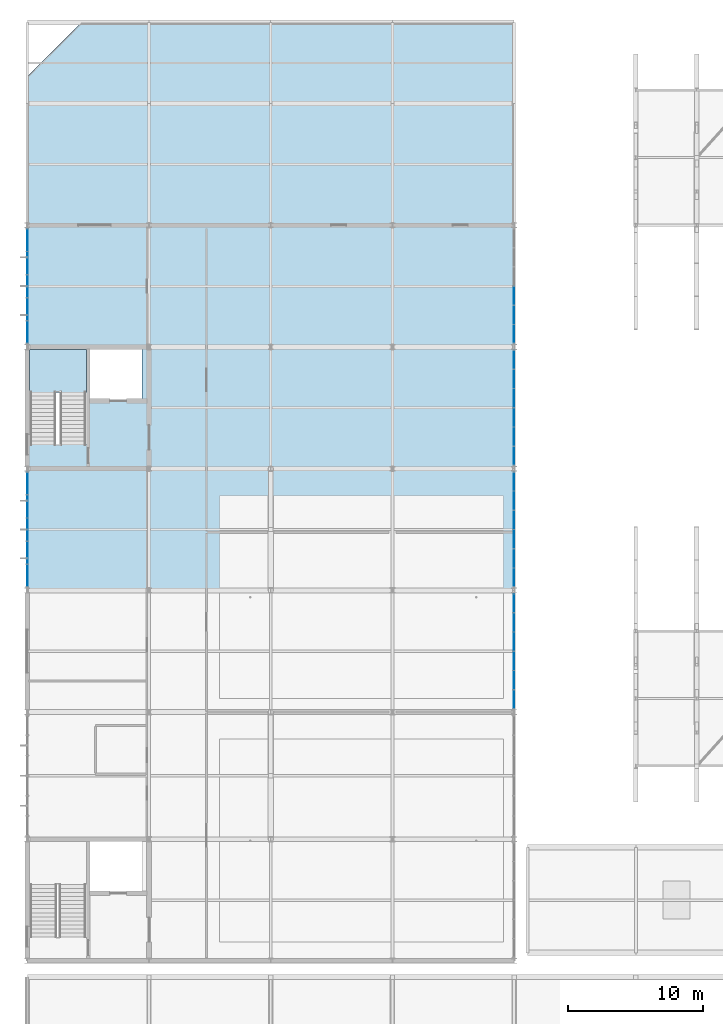
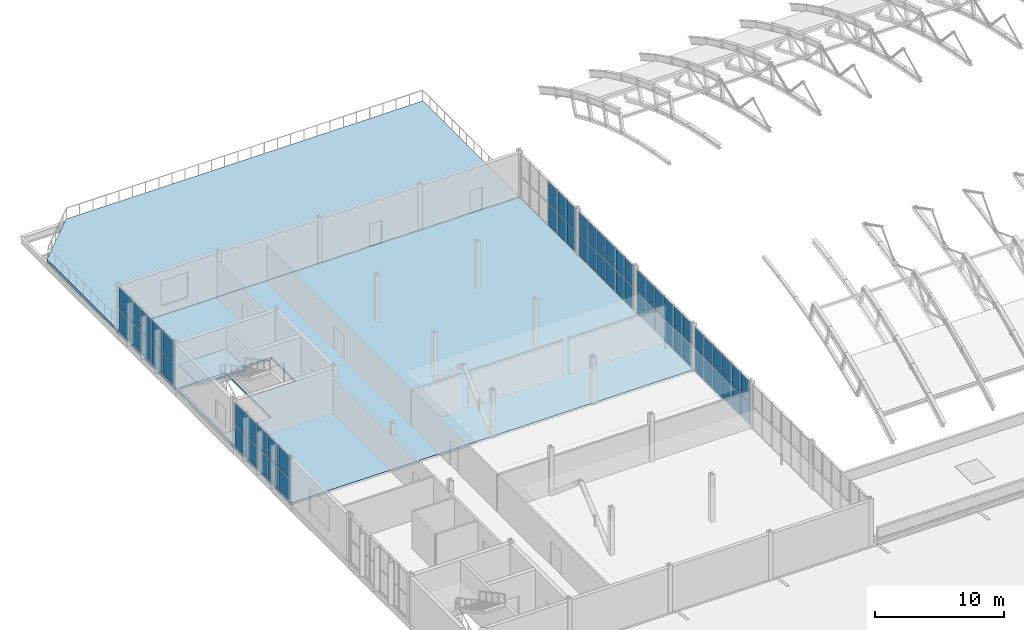
# One storey, part 75 of 103: 62 plates, 3 slabs, 7 elements without a shape of their own.
"""IFC4 building model written with IfcOpenShell, lengths in metres."""

from ifc_helpers import new_model, si_unit, direction, frame, origin, origin_2d, place, context, subcontext, project, spatial, polyline, rectangle, outline, extrude, material, layer, layer_set, type_object, element, aggregate, save


model = new_model("IFC4")

# Units and contexts
model_context = context("Model", 3, precision=1e-05, world=origin(), true_north=direction((0.0, 1.0)))
body_context = subcontext(model_context, "Body", "Model", "MODEL_VIEW")
ifc_project = project(units=[si_unit("LENGTHUNIT", "METRE"), si_unit("AREAUNIT", "SQUARE_METRE"), si_unit("VOLUMEUNIT", "CUBIC_METRE"), si_unit("PLANEANGLEUNIT", "RADIAN"), si_unit("MASSUNIT", "GRAM", prefix="KILO")], contexts=[model_context])

# Site, building, storey
site_placement = place(None, origin())
site = spatial("IfcSite", under=ifc_project, at=site_placement, CompositionType="ELEMENT")
building_placement = place(site_placement, origin())
building = spatial("IfcBuilding", under=site, at=building_placement, Name="Cazmaro Siding Exhibition Halls", CompositionType="ELEMENT")
storey_placement = place(building_placement, frame((0.0, 0.0, 16.5)))
storey = spatial("IfcBuildingStorey", under=building, at=storey_placement, Name="L03", CompositionType="ELEMENT", Elevation=16.5)

# Curtain wall, plates
ifc_material_1 = material(Name="Anodized Bronze Aluminum and Solar-Control Low-E Glazing", Category="aluminium")
ifc_layer_1 = layer(ifc_material_1, 0.179931640625)
ifc_layer_set_1 = layer_set([ifc_layer_1], Name="Anodized Bronze Aluminum and Solar-Control Low-E Glazing")
curtain_wall_type_1 = type_object("IfcCurtainWallType", Name="CWS-01", PredefinedType="USERDEFINED", material=ifc_layer_set_1)
curtain_wall_1_placement = place(storey_placement, origin())
curtain_wall_1 = element("IfcCurtainWall", 1, at=curtain_wall_1_placement, inside=storey, type_object=curtain_wall_type_1, Name="Glazed Curtain Wall CWS-01 CW-250", ObjectType="GLAZED CURTAIN WALL", PredefinedType="USERDEFINED")
ifc_material_2 = material(Name="Solar-Control Low-E Double Insulating Glass", Category="glass")
ifc_layer_2 = layer(ifc_material_2, 0.02392578125)
ifc_layer_set_2 = layer_set([ifc_layer_2], Name="Solar-Control Low-E Double Insulating Glass")
plate_type_1 = type_object("IfcPlateType", Name="CWP-01", PredefinedType="CURTAIN_PANEL", material=ifc_layer_set_2)
plate_1_placement = place(storey_placement, frame((36.0, 73.959228515625, 0.06005859375), z_axis=(0.0, 0.0, 1.0), x_axis=(0.0, 1.0, 0.0)))
plate_1 = element("IfcPlate", 2, at=plate_1_placement, type_object=plate_type_1, Name="CWS-01 panel 1.1", PredefinedType="CURTAIN_PANEL", context=body_context, shape_type="SweptSolid", body=[
    extrude(rectangle(XDim=1.332275390625, YDim=0.02392578125, at=origin_2d()), origin(), (0.0, 0.0, 1.0), 2.050048828125),
])
plate_2_placement = place(storey_placement, frame((36.0, 73.959228515625, 2.169921875), z_axis=(0.0, 0.0, 1.0), x_axis=(0.0, 1.0, 0.0)))
plate_2 = element("IfcPlate", 3, at=plate_2_placement, type_object=plate_type_1, Name="CWS-01 panel 1.2", PredefinedType="CURTAIN_PANEL", context=body_context, shape_type="SweptSolid", body=[
    extrude(rectangle(XDim=1.332275390625, YDim=0.02392578125, at=origin_2d()), origin(), (0.0, 0.0, 1.0), 2.050048828125),
])
plate_3_placement = place(storey_placement, frame((36.0, 75.366455078125, 0.06005859375), z_axis=(0.0, 0.0, 1.0), x_axis=(0.0, 1.0, 0.0)))
plate_3 = element("IfcPlate", 4, at=plate_3_placement, type_object=plate_type_1, Name="CWS-01 panel 2.1", PredefinedType="CURTAIN_PANEL", context=body_context, shape_type="SweptSolid", body=[
    extrude(rectangle(XDim=1.3623046875, YDim=0.02392578125, at=origin_2d()), origin(), (0.0, 0.0, 1.0), 2.050048828125),
])
plate_4_placement = place(storey_placement, frame((36.0, 75.366455078125, 2.169921875), z_axis=(0.0, 0.0, 1.0), x_axis=(0.0, 1.0, 0.0)))
plate_4 = element("IfcPlate", 5, at=plate_4_placement, type_object=plate_type_1, Name="CWS-01 panel 2.2", PredefinedType="CURTAIN_PANEL", context=body_context, shape_type="SweptSolid", body=[
    extrude(rectangle(XDim=1.3623046875, YDim=0.02392578125, at=origin_2d()), origin(), (0.0, 0.0, 1.0), 2.050048828125),
])
plate_5_placement = place(storey_placement, frame((36.0, 76.788818359375, 0.06005859375), z_axis=(0.0, 0.0, 1.0), x_axis=(0.0, 1.0, 0.0)))
plate_5 = element("IfcPlate", 6, at=plate_5_placement, type_object=plate_type_1, Name="CWS-01 panel 3.1", PredefinedType="CURTAIN_PANEL", context=body_context, shape_type="SweptSolid", body=[
    extrude(rectangle(XDim=1.3623046875, YDim=0.02392578125, at=origin_2d()), origin(), (0.0, 0.0, 1.0), 2.050048828125),
])
plate_6_placement = place(storey_placement, frame((36.0, 76.788818359375, 2.169921875), z_axis=(0.0, 0.0, 1.0), x_axis=(0.0, 1.0, 0.0)))
plate_6 = element("IfcPlate", 7, at=plate_6_placement, type_object=plate_type_1, Name="CWS-01 panel 3.2", PredefinedType="CURTAIN_PANEL", context=body_context, shape_type="SweptSolid", body=[
    extrude(rectangle(XDim=1.3623046875, YDim=0.02392578125, at=origin_2d()), origin(), (0.0, 0.0, 1.0), 2.050048828125),
])
plate_7_placement = place(storey_placement, frame((36.0, 78.211181640625, 0.06005859375), z_axis=(0.0, 0.0, 1.0), x_axis=(0.0, 1.0, 0.0)))
plate_7 = element("IfcPlate", 8, at=plate_7_placement, type_object=plate_type_1, Name="CWS-01 panel 4.1", PredefinedType="CURTAIN_PANEL", context=body_context, shape_type="SweptSolid", body=[
    extrude(rectangle(XDim=1.3623046875, YDim=0.02392578125, at=origin_2d()), origin(), (0.0, 0.0, 1.0), 2.050048828125),
])
plate_8_placement = place(storey_placement, frame((36.0, 78.211181640625, 2.169921875), z_axis=(0.0, 0.0, 1.0), x_axis=(0.0, 1.0, 0.0)))
plate_8 = element("IfcPlate", 9, at=plate_8_placement, type_object=plate_type_1, Name="CWS-01 panel 4.2", PredefinedType="CURTAIN_PANEL", context=body_context, shape_type="SweptSolid", body=[
    extrude(rectangle(XDim=1.3623046875, YDim=0.02392578125, at=origin_2d()), origin(), (0.0, 0.0, 1.0), 2.050048828125),
])
plate_9_placement = place(storey_placement, frame((36.0, 79.633544921875, 0.06005859375), z_axis=(0.0, 0.0, 1.0), x_axis=(0.0, 1.0, 0.0)))
plate_9 = element("IfcPlate", 10, at=plate_9_placement, type_object=plate_type_1, Name="CWS-01 panel 5.1", PredefinedType="CURTAIN_PANEL", context=body_context, shape_type="SweptSolid", body=[
    extrude(rectangle(XDim=1.3623046875, YDim=0.02392578125, at=origin_2d()), origin(), (0.0, 0.0, 1.0), 2.050048828125),
])
plate_10_placement = place(storey_placement, frame((36.0, 79.633544921875, 2.169921875), z_axis=(0.0, 0.0, 1.0), x_axis=(0.0, 1.0, 0.0)))
plate_10 = element("IfcPlate", 11, at=plate_10_placement, type_object=plate_type_1, Name="CWS-01 panel 5.2", PredefinedType="CURTAIN_PANEL", context=body_context, shape_type="SweptSolid", body=[
    extrude(rectangle(XDim=1.3623046875, YDim=0.02392578125, at=origin_2d()), origin(), (0.0, 0.0, 1.0), 2.050048828125),
])
plate_11_placement = place(storey_placement, frame((36.0, 81.040771484375, 0.06005859375), z_axis=(0.0, 0.0, 1.0), x_axis=(0.0, 1.0, 0.0)))
plate_11 = element("IfcPlate", 12, at=plate_11_placement, type_object=plate_type_1, Name="CWS-01 panel 6.1", PredefinedType="CURTAIN_PANEL", context=body_context, shape_type="SweptSolid", body=[
    extrude(rectangle(XDim=1.332275390625, YDim=0.02392578125, at=origin_2d()), origin(), (0.0, 0.0, 1.0), 2.050048828125),
])
plate_12_placement = place(storey_placement, frame((36.0, 81.040771484375, 2.169921875), z_axis=(0.0, 0.0, 1.0), x_axis=(0.0, 1.0, 0.0)))
plate_12 = element("IfcPlate", 13, at=plate_12_placement, type_object=plate_type_1, Name="CWS-01 panel 6.2", PredefinedType="CURTAIN_PANEL", context=body_context, shape_type="SweptSolid", body=[
    extrude(rectangle(XDim=1.332275390625, YDim=0.02392578125, at=origin_2d()), origin(), (0.0, 0.0, 1.0), 2.050048828125),
])
aggregate(curtain_wall_1, [plate_1, plate_2, plate_3, plate_4, plate_5, plate_6, plate_7, plate_8, plate_9, plate_10, plate_11, plate_12])

curtain_wall_2_placement = place(storey_placement, origin())
curtain_wall_2 = element("IfcCurtainWall", 14, at=curtain_wall_2_placement, inside=storey, type_object=curtain_wall_type_1, Name="Glazed Curtain Wall CWS-01 CW-252", ObjectType="GLAZED CURTAIN WALL", PredefinedType="USERDEFINED")
plate_13_placement = place(storey_placement, frame((36.0, 82.959228515625, 0.06005859375), z_axis=(0.0, 0.0, 1.0), x_axis=(0.0, 1.0, 0.0)))
plate_13 = element("IfcPlate", 15, at=plate_13_placement, type_object=plate_type_1, Name="CWS-01 panel 1.1", PredefinedType="CURTAIN_PANEL", context=body_context, shape_type="SweptSolid", body=[
    extrude(rectangle(XDim=1.332275390625, YDim=0.02392578125, at=origin_2d()), origin(), (0.0, 0.0, 1.0), 2.050048828125),
])
plate_14_placement = place(storey_placement, frame((36.0, 82.959228515625, 2.169921875), z_axis=(0.0, 0.0, 1.0), x_axis=(0.0, 1.0, 0.0)))
plate_14 = element("IfcPlate", 16, at=plate_14_placement, type_object=plate_type_1, Name="CWS-01 panel 1.2", PredefinedType="CURTAIN_PANEL", context=body_context, shape_type="SweptSolid", body=[
    extrude(rectangle(XDim=1.332275390625, YDim=0.02392578125, at=origin_2d()), origin(), (0.0, 0.0, 1.0), 2.050048828125),
])
plate_15_placement = place(storey_placement, frame((36.0, 84.366455078125, 0.06005859375), z_axis=(0.0, 0.0, 1.0), x_axis=(0.0, 1.0, 0.0)))
plate_15 = element("IfcPlate", 17, at=plate_15_placement, type_object=plate_type_1, Name="CWS-01 panel 2.1", PredefinedType="CURTAIN_PANEL", context=body_context, shape_type="SweptSolid", body=[
    extrude(rectangle(XDim=1.3623046875, YDim=0.02392578125, at=origin_2d()), origin(), (0.0, 0.0, 1.0), 2.050048828125),
])
plate_16_placement = place(storey_placement, frame((36.0, 84.366455078125, 2.169921875), z_axis=(0.0, 0.0, 1.0), x_axis=(0.0, 1.0, 0.0)))
plate_16 = element("IfcPlate", 18, at=plate_16_placement, type_object=plate_type_1, Name="CWS-01 panel 2.2", PredefinedType="CURTAIN_PANEL", context=body_context, shape_type="SweptSolid", body=[
    extrude(rectangle(XDim=1.3623046875, YDim=0.02392578125, at=origin_2d()), origin(), (0.0, 0.0, 1.0), 2.050048828125),
])
plate_17_placement = place(storey_placement, frame((36.0, 85.788818359375, 0.06005859375), z_axis=(0.0, 0.0, 1.0), x_axis=(0.0, 1.0, 0.0)))
plate_17 = element("IfcPlate", 19, at=plate_17_placement, type_object=plate_type_1, Name="CWS-01 panel 3.1", PredefinedType="CURTAIN_PANEL", context=body_context, shape_type="SweptSolid", body=[
    extrude(rectangle(XDim=1.3623046875, YDim=0.02392578125, at=origin_2d()), origin(), (0.0, 0.0, 1.0), 2.050048828125),
])
plate_18_placement = place(storey_placement, frame((36.0, 85.788818359375, 2.169921875), z_axis=(0.0, 0.0, 1.0), x_axis=(0.0, 1.0, 0.0)))
plate_18 = element("IfcPlate", 20, at=plate_18_placement, type_object=plate_type_1, Name="CWS-01 panel 3.2", PredefinedType="CURTAIN_PANEL", context=body_context, shape_type="SweptSolid", body=[
    extrude(rectangle(XDim=1.3623046875, YDim=0.02392578125, at=origin_2d()), origin(), (0.0, 0.0, 1.0), 2.050048828125),
])
plate_19_placement = place(storey_placement, frame((36.0, 87.211181640625, 0.06005859375), z_axis=(0.0, 0.0, 1.0), x_axis=(0.0, 1.0, 0.0)))
plate_19 = element("IfcPlate", 21, at=plate_19_placement, type_object=plate_type_1, Name="CWS-01 panel 4.1", PredefinedType="CURTAIN_PANEL", context=body_context, shape_type="SweptSolid", body=[
    extrude(rectangle(XDim=1.3623046875, YDim=0.02392578125, at=origin_2d()), origin(), (0.0, 0.0, 1.0), 2.050048828125),
])
plate_20_placement = place(storey_placement, frame((36.0, 87.211181640625, 2.169921875), z_axis=(0.0, 0.0, 1.0), x_axis=(0.0, 1.0, 0.0)))
plate_20 = element("IfcPlate", 22, at=plate_20_placement, type_object=plate_type_1, Name="CWS-01 panel 4.2", PredefinedType="CURTAIN_PANEL", context=body_context, shape_type="SweptSolid", body=[
    extrude(rectangle(XDim=1.3623046875, YDim=0.02392578125, at=origin_2d()), origin(), (0.0, 0.0, 1.0), 2.050048828125),
])
plate_21_placement = place(storey_placement, frame((36.0, 88.633544921875, 0.06005859375), z_axis=(0.0, 0.0, 1.0), x_axis=(0.0, 1.0, 0.0)))
plate_21 = element("IfcPlate", 23, at=plate_21_placement, type_object=plate_type_1, Name="CWS-01 panel 5.1", PredefinedType="CURTAIN_PANEL", context=body_context, shape_type="SweptSolid", body=[
    extrude(rectangle(XDim=1.3623046875, YDim=0.02392578125, at=origin_2d()), origin(), (0.0, 0.0, 1.0), 2.050048828125),
])
plate_22_placement = place(storey_placement, frame((36.0, 88.633544921875, 2.169921875), z_axis=(0.0, 0.0, 1.0), x_axis=(0.0, 1.0, 0.0)))
plate_22 = element("IfcPlate", 24, at=plate_22_placement, type_object=plate_type_1, Name="CWS-01 panel 5.2", PredefinedType="CURTAIN_PANEL", context=body_context, shape_type="SweptSolid", body=[
    extrude(rectangle(XDim=1.3623046875, YDim=0.02392578125, at=origin_2d()), origin(), (0.0, 0.0, 1.0), 2.050048828125),
])
plate_23_placement = place(storey_placement, frame((36.0, 90.040771484375, 0.06005859375), z_axis=(0.0, 0.0, 1.0), x_axis=(0.0, 1.0, 0.0)))
plate_23 = element("IfcPlate", 25, at=plate_23_placement, type_object=plate_type_1, Name="CWS-01 panel 6.1", PredefinedType="CURTAIN_PANEL", context=body_context, shape_type="SweptSolid", body=[
    extrude(rectangle(XDim=1.332275390625, YDim=0.02392578125, at=origin_2d()), origin(), (0.0, 0.0, 1.0), 2.050048828125),
])
plate_24_placement = place(storey_placement, frame((36.0, 90.040771484375, 2.169921875), z_axis=(0.0, 0.0, 1.0), x_axis=(0.0, 1.0, 0.0)))
plate_24 = element("IfcPlate", 26, at=plate_24_placement, type_object=plate_type_1, Name="CWS-01 panel 6.2", PredefinedType="CURTAIN_PANEL", context=body_context, shape_type="SweptSolid", body=[
    extrude(rectangle(XDim=1.332275390625, YDim=0.02392578125, at=origin_2d()), origin(), (0.0, 0.0, 1.0), 2.050048828125),
])
aggregate(curtain_wall_2, [plate_13, plate_14, plate_15, plate_16, plate_17, plate_18, plate_19, plate_20, plate_21, plate_22, plate_23, plate_24])

curtain_wall_3_placement = place(storey_placement, origin())
curtain_wall_3 = element("IfcCurtainWall", 27, at=curtain_wall_3_placement, inside=storey, type_object=curtain_wall_type_1, Name="Glazed Curtain Wall CWS-01 CW-253", ObjectType="GLAZED CURTAIN WALL", PredefinedType="USERDEFINED")
plate_25_placement = place(storey_placement, frame((36.0, 91.959228515625, 0.06005859375), z_axis=(0.0, 0.0, 1.0), x_axis=(0.0, 1.0, 0.0)))
plate_25 = element("IfcPlate", 28, at=plate_25_placement, type_object=plate_type_1, Name="CWS-01 panel 1.1", PredefinedType="CURTAIN_PANEL", context=body_context, shape_type="SweptSolid", body=[
    extrude(rectangle(XDim=1.332275390625, YDim=0.02392578125, at=origin_2d()), origin(), (0.0, 0.0, 1.0), 2.050048828125),
])
plate_26_placement = place(storey_placement, frame((36.0, 91.959228515625, 2.169921875), z_axis=(0.0, 0.0, 1.0), x_axis=(0.0, 1.0, 0.0)))
plate_26 = element("IfcPlate", 29, at=plate_26_placement, type_object=plate_type_1, Name="CWS-01 panel 1.2", PredefinedType="CURTAIN_PANEL", context=body_context, shape_type="SweptSolid", body=[
    extrude(rectangle(XDim=1.332275390625, YDim=0.02392578125, at=origin_2d()), origin(), (0.0, 0.0, 1.0), 2.050048828125),
])
plate_27_placement = place(storey_placement, frame((36.0, 93.366455078125, 0.06005859375), z_axis=(0.0, 0.0, 1.0), x_axis=(0.0, 1.0, 0.0)))
plate_27 = element("IfcPlate", 30, at=plate_27_placement, type_object=plate_type_1, Name="CWS-01 panel 2.1", PredefinedType="CURTAIN_PANEL", context=body_context, shape_type="SweptSolid", body=[
    extrude(rectangle(XDim=1.3623046875, YDim=0.02392578125, at=origin_2d()), origin(), (0.0, 0.0, 1.0), 2.050048828125),
])
plate_28_placement = place(storey_placement, frame((36.0, 93.366455078125, 2.169921875), z_axis=(0.0, 0.0, 1.0), x_axis=(0.0, 1.0, 0.0)))
plate_28 = element("IfcPlate", 31, at=plate_28_placement, type_object=plate_type_1, Name="CWS-01 panel 2.2", PredefinedType="CURTAIN_PANEL", context=body_context, shape_type="SweptSolid", body=[
    extrude(rectangle(XDim=1.3623046875, YDim=0.02392578125, at=origin_2d()), origin(), (0.0, 0.0, 1.0), 2.050048828125),
])
plate_29_placement = place(storey_placement, frame((36.0, 94.788818359375, 0.06005859375), z_axis=(0.0, 0.0, 1.0), x_axis=(0.0, 1.0, 0.0)))
plate_29 = element("IfcPlate", 32, at=plate_29_placement, type_object=plate_type_1, Name="CWS-01 panel 3.1", PredefinedType="CURTAIN_PANEL", context=body_context, shape_type="SweptSolid", body=[
    extrude(rectangle(XDim=1.3623046875, YDim=0.02392578125, at=origin_2d()), origin(), (0.0, 0.0, 1.0), 2.050048828125),
])
plate_30_placement = place(storey_placement, frame((36.0, 94.788818359375, 2.169921875), z_axis=(0.0, 0.0, 1.0), x_axis=(0.0, 1.0, 0.0)))
plate_30 = element("IfcPlate", 33, at=plate_30_placement, type_object=plate_type_1, Name="CWS-01 panel 3.2", PredefinedType="CURTAIN_PANEL", context=body_context, shape_type="SweptSolid", body=[
    extrude(rectangle(XDim=1.3623046875, YDim=0.02392578125, at=origin_2d()), origin(), (0.0, 0.0, 1.0), 2.050048828125),
])
plate_31_placement = place(storey_placement, frame((36.0, 96.211181640625, 0.06005859375), z_axis=(0.0, 0.0, 1.0), x_axis=(0.0, 1.0, 0.0)))
plate_31 = element("IfcPlate", 34, at=plate_31_placement, type_object=plate_type_1, Name="CWS-01 panel 4.1", PredefinedType="CURTAIN_PANEL", context=body_context, shape_type="SweptSolid", body=[
    extrude(rectangle(XDim=1.3623046875, YDim=0.02392578125, at=origin_2d()), origin(), (0.0, 0.0, 1.0), 2.050048828125),
])
plate_32_placement = place(storey_placement, frame((36.0, 96.211181640625, 2.169921875), z_axis=(0.0, 0.0, 1.0), x_axis=(0.0, 1.0, 0.0)))
plate_32 = element("IfcPlate", 35, at=plate_32_placement, type_object=plate_type_1, Name="CWS-01 panel 4.2", PredefinedType="CURTAIN_PANEL", context=body_context, shape_type="SweptSolid", body=[
    extrude(rectangle(XDim=1.3623046875, YDim=0.02392578125, at=origin_2d()), origin(), (0.0, 0.0, 1.0), 2.050048828125),
])
plate_33_placement = place(storey_placement, frame((36.0, 97.633544921875, 0.06005859375), z_axis=(0.0, 0.0, 1.0), x_axis=(0.0, 1.0, 0.0)))
plate_33 = element("IfcPlate", 36, at=plate_33_placement, type_object=plate_type_1, Name="CWS-01 panel 5.1", PredefinedType="CURTAIN_PANEL", context=body_context, shape_type="SweptSolid", body=[
    extrude(rectangle(XDim=1.3623046875, YDim=0.02392578125, at=origin_2d()), origin(), (0.0, 0.0, 1.0), 2.050048828125),
])
plate_34_placement = place(storey_placement, frame((36.0, 97.633544921875, 2.169921875), z_axis=(0.0, 0.0, 1.0), x_axis=(0.0, 1.0, 0.0)))
plate_34 = element("IfcPlate", 37, at=plate_34_placement, type_object=plate_type_1, Name="CWS-01 panel 5.2", PredefinedType="CURTAIN_PANEL", context=body_context, shape_type="SweptSolid", body=[
    extrude(rectangle(XDim=1.3623046875, YDim=0.02392578125, at=origin_2d()), origin(), (0.0, 0.0, 1.0), 2.050048828125),
])
plate_35_placement = place(storey_placement, frame((36.0, 99.040771484375, 0.06005859375), z_axis=(0.0, 0.0, 1.0), x_axis=(0.0, 1.0, 0.0)))
plate_35 = element("IfcPlate", 38, at=plate_35_placement, type_object=plate_type_1, Name="CWS-01 panel 6.1", PredefinedType="CURTAIN_PANEL", context=body_context, shape_type="SweptSolid", body=[
    extrude(rectangle(XDim=1.332275390625, YDim=0.02392578125, at=origin_2d()), origin(), (0.0, 0.0, 1.0), 2.050048828125),
])
plate_36_placement = place(storey_placement, frame((36.0, 99.040771484375, 2.169921875), z_axis=(0.0, 0.0, 1.0), x_axis=(0.0, 1.0, 0.0)))
plate_36 = element("IfcPlate", 39, at=plate_36_placement, type_object=plate_type_1, Name="CWS-01 panel 6.2", PredefinedType="CURTAIN_PANEL", context=body_context, shape_type="SweptSolid", body=[
    extrude(rectangle(XDim=1.332275390625, YDim=0.02392578125, at=origin_2d()), origin(), (0.0, 0.0, 1.0), 2.050048828125),
])
aggregate(curtain_wall_3, [plate_25, plate_26, plate_27, plate_28, plate_29, plate_30, plate_31, plate_32, plate_33, plate_34, plate_35, plate_36])

curtain_wall_4_placement = place(storey_placement, origin())
curtain_wall_4 = element("IfcCurtainWall", 40, at=curtain_wall_4_placement, inside=storey, type_object=curtain_wall_type_1, Name="Glazed Curtain Wall CWS-01 CW-255", ObjectType="GLAZED CURTAIN WALL", PredefinedType="USERDEFINED")
plate_37_placement = place(storey_placement, frame((36.0, 100.959228515625, 0.06005859375), z_axis=(0.0, 0.0, 1.0), x_axis=(0.0, 1.0, 0.0)))
plate_37 = element("IfcPlate", 41, at=plate_37_placement, type_object=plate_type_1, Name="CWS-01 panel 1.1", PredefinedType="CURTAIN_PANEL", context=body_context, shape_type="SweptSolid", body=[
    extrude(rectangle(XDim=1.332275390625, YDim=0.02392578125, at=origin_2d()), origin(), (0.0, 0.0, 1.0), 2.050048828125),
])
plate_38_placement = place(storey_placement, frame((36.0, 100.959228515625, 2.169921875), z_axis=(0.0, 0.0, 1.0), x_axis=(0.0, 1.0, 0.0)))
plate_38 = element("IfcPlate", 42, at=plate_38_placement, type_object=plate_type_1, Name="CWS-01 panel 1.2", PredefinedType="CURTAIN_PANEL", context=body_context, shape_type="SweptSolid", body=[
    extrude(rectangle(XDim=1.332275390625, YDim=0.02392578125, at=origin_2d()), origin(), (0.0, 0.0, 1.0), 2.050048828125),
])
plate_39_placement = place(storey_placement, frame((36.0, 102.366455078125, 0.06005859375), z_axis=(0.0, 0.0, 1.0), x_axis=(0.0, 1.0, 0.0)))
plate_39 = element("IfcPlate", 43, at=plate_39_placement, type_object=plate_type_1, Name="CWS-01 panel 2.1", PredefinedType="CURTAIN_PANEL", context=body_context, shape_type="SweptSolid", body=[
    extrude(rectangle(XDim=1.3623046875, YDim=0.02392578125, at=origin_2d()), origin(), (0.0, 0.0, 1.0), 2.050048828125),
])
plate_40_placement = place(storey_placement, frame((36.0, 102.366455078125, 2.169921875), z_axis=(0.0, 0.0, 1.0), x_axis=(0.0, 1.0, 0.0)))
plate_40 = element("IfcPlate", 44, at=plate_40_placement, type_object=plate_type_1, Name="CWS-01 panel 2.2", PredefinedType="CURTAIN_PANEL", context=body_context, shape_type="SweptSolid", body=[
    extrude(rectangle(XDim=1.3623046875, YDim=0.02392578125, at=origin_2d()), origin(), (0.0, 0.0, 1.0), 2.050048828125),
])
plate_41_placement = place(storey_placement, frame((36.0, 103.788818359375, 0.06005859375), z_axis=(0.0, 0.0, 1.0), x_axis=(0.0, 1.0, 0.0)))
plate_41 = element("IfcPlate", 45, at=plate_41_placement, type_object=plate_type_1, Name="CWS-01 panel 3.1", PredefinedType="CURTAIN_PANEL", context=body_context, shape_type="SweptSolid", body=[
    extrude(rectangle(XDim=1.3623046875, YDim=0.02392578125, at=origin_2d()), origin(), (0.0, 0.0, 1.0), 2.050048828125),
])
plate_42_placement = place(storey_placement, frame((36.0, 103.788818359375, 2.169921875), z_axis=(0.0, 0.0, 1.0), x_axis=(0.0, 1.0, 0.0)))
plate_42 = element("IfcPlate", 46, at=plate_42_placement, type_object=plate_type_1, Name="CWS-01 panel 3.2", PredefinedType="CURTAIN_PANEL", context=body_context, shape_type="SweptSolid", body=[
    extrude(rectangle(XDim=1.3623046875, YDim=0.02392578125, at=origin_2d()), origin(), (0.0, 0.0, 1.0), 2.050048828125),
])
aggregate(curtain_wall_4, [plate_37, plate_38, plate_39, plate_40, plate_41, plate_42])

ifc_material_3 = material(Name="Anodized Bronze Aluminum and Solar-Control Low-E Glazing", Category="aluminium")
ifc_layer_3 = layer(ifc_material_3, 0.199951171875)
ifc_layer_set_3 = layer_set([ifc_layer_3], Name="Anodized Bronze Aluminum and Solar-Control Low-E Glazing")
curtain_wall_type_2 = type_object("IfcCurtainWallType", Name="CWS-02", PredefinedType="USERDEFINED", material=ifc_layer_set_3)
curtain_wall_5_placement = place(storey_placement, origin())
curtain_wall_5 = element("IfcCurtainWall", 47, at=curtain_wall_5_placement, inside=storey, type_object=curtain_wall_type_2, Name="Glazed Curtain Wall CWS-02 CW-251", ObjectType="GLAZED CURTAIN WALL", PredefinedType="USERDEFINED")
ifc_material_4 = material(Name="Solar-Control Low-E Double Insulating Glass", Category="glass")
ifc_layer_4 = layer(ifc_material_4, 0.035888671875)
ifc_layer_set_4 = layer_set([ifc_layer_4], Name="Solar-Control Low-E Double Insulating Glass")
plate_type_2 = type_object("IfcPlateType", Name="CWP-02", PredefinedType="CURTAIN_PANEL", material=ifc_layer_set_4)
plate_43_placement = place(storey_placement, frame((0.0, 89.8974609375, 0.06494140625), z_axis=(0.0, 0.0, 1.0), x_axis=(0.0, -1.0, 0.0)))
plate_43 = element("IfcPlate", 48, at=plate_43_placement, type_object=plate_type_2, Name="CWS-02 panel 1.1", PredefinedType="CURTAIN_PANEL", context=body_context, shape_type="SweptSolid", body=[
    extrude(rectangle(XDim=1.609375, YDim=0.035888671875, at=origin_2d()), origin(), (0.0, 0.0, 1.0), 2.04248046875),
])
plate_44_placement = place(storey_placement, frame((0.0, 89.8974609375, 2.172607421875), z_axis=(0.0, 0.0, 1.0), x_axis=(0.0, -1.0, 0.0)))
plate_44 = element("IfcPlate", 49, at=plate_44_placement, type_object=plate_type_2, Name="CWS-02 panel 1.2", PredefinedType="CURTAIN_PANEL", context=body_context, shape_type="SweptSolid", body=[
    extrude(rectangle(XDim=1.609375, YDim=0.035888671875, at=origin_2d()), origin(), (0.0, 0.0, 1.0), 2.04248046875),
])
plate_45_placement = place(storey_placement, frame((0.0, 88.206787109375, 0.06494140625), z_axis=(0.0, 0.0, 1.0), x_axis=(0.0, -1.0, 0.0)))
plate_45 = element("IfcPlate", 50, at=plate_45_placement, type_object=plate_type_2, Name="CWS-02 panel 2.1", PredefinedType="CURTAIN_PANEL", context=body_context, shape_type="SweptSolid", body=[
    extrude(rectangle(XDim=1.641845703125, YDim=0.035888671875, at=origin_2d()), origin(), (0.0, 0.0, 1.0), 2.04248046875),
])
plate_46_placement = place(storey_placement, frame((0.0, 88.206787109375, 2.172607421875), z_axis=(0.0, 0.0, 1.0), x_axis=(0.0, -1.0, 0.0)))
plate_46 = element("IfcPlate", 51, at=plate_46_placement, type_object=plate_type_2, Name="CWS-02 panel 2.2", PredefinedType="CURTAIN_PANEL", context=body_context, shape_type="SweptSolid", body=[
    extrude(rectangle(XDim=1.641845703125, YDim=0.035888671875, at=origin_2d()), origin(), (0.0, 0.0, 1.0), 2.04248046875),
])
plate_47_placement = place(storey_placement, frame((0.0, 86.5, 0.06494140625), z_axis=(0.0, 0.0, 1.0), x_axis=(0.0, -1.0, 0.0)))
plate_47 = element("IfcPlate", 52, at=plate_47_placement, type_object=plate_type_2, Name="CWS-02 panel 3.1", PredefinedType="CURTAIN_PANEL", context=body_context, shape_type="SweptSolid", body=[
    extrude(rectangle(XDim=1.641845703125, YDim=0.035888671875, at=origin_2d()), origin(), (0.0, 0.0, 1.0), 2.04248046875),
])
plate_48_placement = place(storey_placement, frame((0.0, 86.5, 2.172607421875), z_axis=(0.0, 0.0, 1.0), x_axis=(0.0, -1.0, 0.0)))
plate_48 = element("IfcPlate", 53, at=plate_48_placement, type_object=plate_type_2, Name="CWS-02 panel 3.2", PredefinedType="CURTAIN_PANEL", context=body_context, shape_type="SweptSolid", body=[
    extrude(rectangle(XDim=1.641845703125, YDim=0.035888671875, at=origin_2d()), origin(), (0.0, 0.0, 1.0), 2.04248046875),
])
plate_49_placement = place(storey_placement, frame((0.0, 84.793212890625, 0.06494140625), z_axis=(0.0, 0.0, 1.0), x_axis=(0.0, -1.0, 0.0)))
plate_49 = element("IfcPlate", 54, at=plate_49_placement, type_object=plate_type_2, Name="CWS-02 panel 4.1", PredefinedType="CURTAIN_PANEL", context=body_context, shape_type="SweptSolid", body=[
    extrude(rectangle(XDim=1.641845703125, YDim=0.035888671875, at=origin_2d()), origin(), (0.0, 0.0, 1.0), 2.04248046875),
])
plate_50_placement = place(storey_placement, frame((0.0, 84.793212890625, 2.172607421875), z_axis=(0.0, 0.0, 1.0), x_axis=(0.0, -1.0, 0.0)))
plate_50 = element("IfcPlate", 55, at=plate_50_placement, type_object=plate_type_2, Name="CWS-02 panel 4.2", PredefinedType="CURTAIN_PANEL", context=body_context, shape_type="SweptSolid", body=[
    extrude(rectangle(XDim=1.641845703125, YDim=0.035888671875, at=origin_2d()), origin(), (0.0, 0.0, 1.0), 2.04248046875),
])
plate_51_placement = place(storey_placement, frame((0.0, 83.1025390625, 0.06494140625), z_axis=(0.0, 0.0, 1.0), x_axis=(0.0, -1.0, 0.0)))
plate_51 = element("IfcPlate", 56, at=plate_51_placement, type_object=plate_type_2, Name="CWS-02 panel 5.1", PredefinedType="CURTAIN_PANEL", context=body_context, shape_type="SweptSolid", body=[
    extrude(rectangle(XDim=1.609375, YDim=0.035888671875, at=origin_2d()), origin(), (0.0, 0.0, 1.0), 2.04248046875),
])
plate_52_placement = place(storey_placement, frame((0.0, 83.1025390625, 2.172607421875), z_axis=(0.0, 0.0, 1.0), x_axis=(0.0, -1.0, 0.0)))
plate_52 = element("IfcPlate", 57, at=plate_52_placement, type_object=plate_type_2, Name="CWS-02 panel 5.2", PredefinedType="CURTAIN_PANEL", context=body_context, shape_type="SweptSolid", body=[
    extrude(rectangle(XDim=1.609375, YDim=0.035888671875, at=origin_2d()), origin(), (0.0, 0.0, 1.0), 2.04248046875),
])
aggregate(curtain_wall_5, [plate_43, plate_44, plate_45, plate_46, plate_47, plate_48, plate_49, plate_50, plate_51, plate_52])

curtain_wall_6_placement = place(storey_placement, origin())
curtain_wall_6 = element("IfcCurtainWall", 58, at=curtain_wall_6_placement, inside=storey, type_object=curtain_wall_type_2, Name="Glazed Curtain Wall CWS-02 CW-254", ObjectType="GLAZED CURTAIN WALL", PredefinedType="USERDEFINED")
plate_53_placement = place(storey_placement, frame((0.0, 107.8974609375, 0.06494140625), z_axis=(0.0, 0.0, 1.0), x_axis=(0.0, -1.0, 0.0)))
plate_53 = element("IfcPlate", 59, at=plate_53_placement, type_object=plate_type_2, Name="CWS-02 panel 1.1", PredefinedType="CURTAIN_PANEL", context=body_context, shape_type="SweptSolid", body=[
    extrude(rectangle(XDim=1.609375, YDim=0.035888671875, at=origin_2d()), origin(), (0.0, 0.0, 1.0), 2.04248046875),
])
plate_54_placement = place(storey_placement, frame((0.0, 107.8974609375, 2.172607421875), z_axis=(0.0, 0.0, 1.0), x_axis=(0.0, -1.0, 0.0)))
plate_54 = element("IfcPlate", 60, at=plate_54_placement, type_object=plate_type_2, Name="CWS-02 panel 1.2", PredefinedType="CURTAIN_PANEL", context=body_context, shape_type="SweptSolid", body=[
    extrude(rectangle(XDim=1.609375, YDim=0.035888671875, at=origin_2d()), origin(), (0.0, 0.0, 1.0), 2.04248046875),
])
plate_55_placement = place(storey_placement, frame((0.0, 106.206787109375, 0.06494140625), z_axis=(0.0, 0.0, 1.0), x_axis=(0.0, -1.0, 0.0)))
plate_55 = element("IfcPlate", 61, at=plate_55_placement, type_object=plate_type_2, Name="CWS-02 panel 2.1", PredefinedType="CURTAIN_PANEL", context=body_context, shape_type="SweptSolid", body=[
    extrude(rectangle(XDim=1.641845703125, YDim=0.035888671875, at=origin_2d()), origin(), (0.0, 0.0, 1.0), 2.04248046875),
])
plate_56_placement = place(storey_placement, frame((0.0, 106.206787109375, 2.172607421875), z_axis=(0.0, 0.0, 1.0), x_axis=(0.0, -1.0, 0.0)))
plate_56 = element("IfcPlate", 62, at=plate_56_placement, type_object=plate_type_2, Name="CWS-02 panel 2.2", PredefinedType="CURTAIN_PANEL", context=body_context, shape_type="SweptSolid", body=[
    extrude(rectangle(XDim=1.641845703125, YDim=0.035888671875, at=origin_2d()), origin(), (0.0, 0.0, 1.0), 2.04248046875),
])
plate_57_placement = place(storey_placement, frame((0.0, 104.5, 0.06494140625), z_axis=(0.0, 0.0, 1.0), x_axis=(0.0, -1.0, 0.0)))
plate_57 = element("IfcPlate", 63, at=plate_57_placement, type_object=plate_type_2, Name="CWS-02 panel 3.1", PredefinedType="CURTAIN_PANEL", context=body_context, shape_type="SweptSolid", body=[
    extrude(rectangle(XDim=1.641845703125, YDim=0.035888671875, at=origin_2d()), origin(), (0.0, 0.0, 1.0), 2.04248046875),
])
plate_58_placement = place(storey_placement, frame((0.0, 104.5, 2.172607421875), z_axis=(0.0, 0.0, 1.0), x_axis=(0.0, -1.0, 0.0)))
plate_58 = element("IfcPlate", 64, at=plate_58_placement, type_object=plate_type_2, Name="CWS-02 panel 3.2", PredefinedType="CURTAIN_PANEL", context=body_context, shape_type="SweptSolid", body=[
    extrude(rectangle(XDim=1.641845703125, YDim=0.035888671875, at=origin_2d()), origin(), (0.0, 0.0, 1.0), 2.04248046875),
])
plate_59_placement = place(storey_placement, frame((0.0, 102.793212890625, 0.06494140625), z_axis=(0.0, 0.0, 1.0), x_axis=(0.0, -1.0, 0.0)))
plate_59 = element("IfcPlate", 65, at=plate_59_placement, type_object=plate_type_2, Name="CWS-02 panel 4.1", PredefinedType="CURTAIN_PANEL", context=body_context, shape_type="SweptSolid", body=[
    extrude(rectangle(XDim=1.641845703125, YDim=0.035888671875, at=origin_2d()), origin(), (0.0, 0.0, 1.0), 2.04248046875),
])
plate_60_placement = place(storey_placement, frame((0.0, 102.793212890625, 2.172607421875), z_axis=(0.0, 0.0, 1.0), x_axis=(0.0, -1.0, 0.0)))
plate_60 = element("IfcPlate", 66, at=plate_60_placement, type_object=plate_type_2, Name="CWS-02 panel 4.2", PredefinedType="CURTAIN_PANEL", context=body_context, shape_type="SweptSolid", body=[
    extrude(rectangle(XDim=1.641845703125, YDim=0.035888671875, at=origin_2d()), origin(), (0.0, 0.0, 1.0), 2.04248046875),
])
plate_61_placement = place(storey_placement, frame((0.0, 101.1025390625, 0.06494140625), z_axis=(0.0, 0.0, 1.0), x_axis=(0.0, -1.0, 0.0)))
plate_61 = element("IfcPlate", 67, at=plate_61_placement, type_object=plate_type_2, Name="CWS-02 panel 5.1", PredefinedType="CURTAIN_PANEL", context=body_context, shape_type="SweptSolid", body=[
    extrude(rectangle(XDim=1.609375, YDim=0.035888671875, at=origin_2d()), origin(), (0.0, 0.0, 1.0), 2.04248046875),
])
plate_62_placement = place(storey_placement, frame((0.0, 101.1025390625, 2.172607421875), z_axis=(0.0, 0.0, 1.0), x_axis=(0.0, -1.0, 0.0)))
plate_62 = element("IfcPlate", 68, at=plate_62_placement, type_object=plate_type_2, Name="CWS-02 panel 5.2", PredefinedType="CURTAIN_PANEL", context=body_context, shape_type="SweptSolid", body=[
    extrude(rectangle(XDim=1.609375, YDim=0.035888671875, at=origin_2d()), origin(), (0.0, 0.0, 1.0), 2.04248046875),
])
aggregate(curtain_wall_6, [plate_53, plate_54, plate_55, plate_56, plate_57, plate_58, plate_59, plate_60, plate_61, plate_62])

# Slab
ifc_material_5 = material(Name="Concrete f'c 35 MPa", Category="concrete")
ifc_layer_5 = layer(ifc_material_5, 0.219970703125)
ifc_layer_set_5 = layer_set([ifc_layer_5], Name="Concrete f'c 35 MPa")
slab_type_1 = type_object("IfcSlabType", Name="FS-01", PredefinedType="FLOOR", material=ifc_layer_set_5)
slab_1_placement = place(storey_placement, frame((0.0, 0.0, -0.219970703125)))
element("IfcSlab", 69, at=slab_1_placement, inside=storey, type_object=slab_type_1, Name="West Wing North L03 FS-01 SLB-0040", PredefinedType="FLOOR", context=body_context, shape_type="SweptSolid", body=[
    extrude(outline(polyline([(0.0, 82.0), (36.0, 82.0), (36.0, 109.0), (0.0, 109.0), (0.0, 82.0)]), holes=[polyline([(0.179931640625, 92.780029296875), (4.375, 92.780029296875), (4.375, 99.820068359375), (0.179931640625, 99.820068359375), (0.179931640625, 92.780029296875)]), polyline([(4.625, 96.1201171875), (8.47998046875, 96.1201171875), (8.47998046875, 99.820068359375), (4.625, 99.820068359375), (4.625, 96.1201171875)])]), origin(), (0.0, 0.0, 1.0), 0.219970703125),
])

# Stair, slab
ifc_material_6 = material(Name="Concrete f'c 40 MPa", Category="concrete")
stair_type = type_object("IfcStairType", Name="STT-21", PredefinedType="TWO_STRAIGHT_RUN_STAIR", material=ifc_material_6)
stair_placement = place(storey_placement, origin())
stair = element("IfcStair", 70, at=stair_placement, inside=storey, type_object=stair_type, Name="Core C8 Exit Stair L03-L04 ST-21", PredefinedType="TWO_STRAIGHT_RUN_STAIR")
ifc_material_7 = material(Name="Concrete f'c 40 MPa", Category="concrete")
ifc_layer_6 = layer(ifc_material_7, 0.199951171875)
ifc_layer_set_6 = layer_set([ifc_layer_6], Name="Concrete f'c 40 MPa")
slab_type_2 = type_object("IfcSlabType", Name="LND-21", PredefinedType="LANDING", material=ifc_layer_set_6)
slab_2_placement = place(storey_placement, frame((0.0, 0.0, 2.050048828125)))
slab_2 = element("IfcSlab", 71, at=slab_2_placement, type_object=slab_type_2, Name="ST-21 landing 1", PredefinedType="LANDING", context=body_context, shape_type="SweptSolid", body=[
    extrude(outline(polyline([(0.175048828125, 96.639892578125), (4.3798828125, 96.639892578125), (4.3798828125, 99.824951171875), (0.175048828125, 99.824951171875), (0.175048828125, 96.639892578125)])), origin(), (0.0, 0.0, 1.0), 0.199951171875),
])
aggregate(stair, [slab_2])

# Slab
ifc_material_8 = material(Name="Concrete f'c 35 MPa", Category="concrete")
ifc_layer_7 = layer(ifc_material_8, 0.27001953125)
ifc_layer_set_7 = layer_set([ifc_layer_7], Name="Concrete f'c 35 MPa")
slab_type_3 = type_object("IfcSlabType", Name="TS-01", PredefinedType="FLOOR", material=ifc_layer_set_7)
slab_3_placement = place(storey_placement, frame((0.0, 0.0, -0.27001953125)))
element("IfcSlab", 72, at=slab_3_placement, inside=storey, type_object=slab_type_3, Name="North Landscaped Roof Terrace L03 TS-01 SLB-0041", PredefinedType="FLOOR", context=body_context, shape_type="SweptSolid", body=[
    extrude(outline(polyline([(0.0, 109.0), (36.0, 109.0), (36.0, 124.0), (4.0, 124.0), (0.0, 120.0), (0.0, 109.0)])), origin(), (0.0, 0.0, 1.0), 0.27001953125),
])

save(model, "model.ifc")
